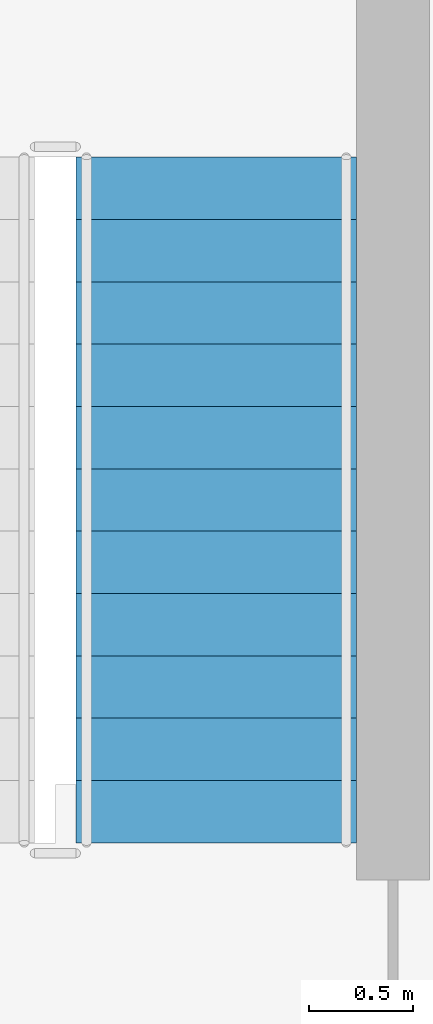
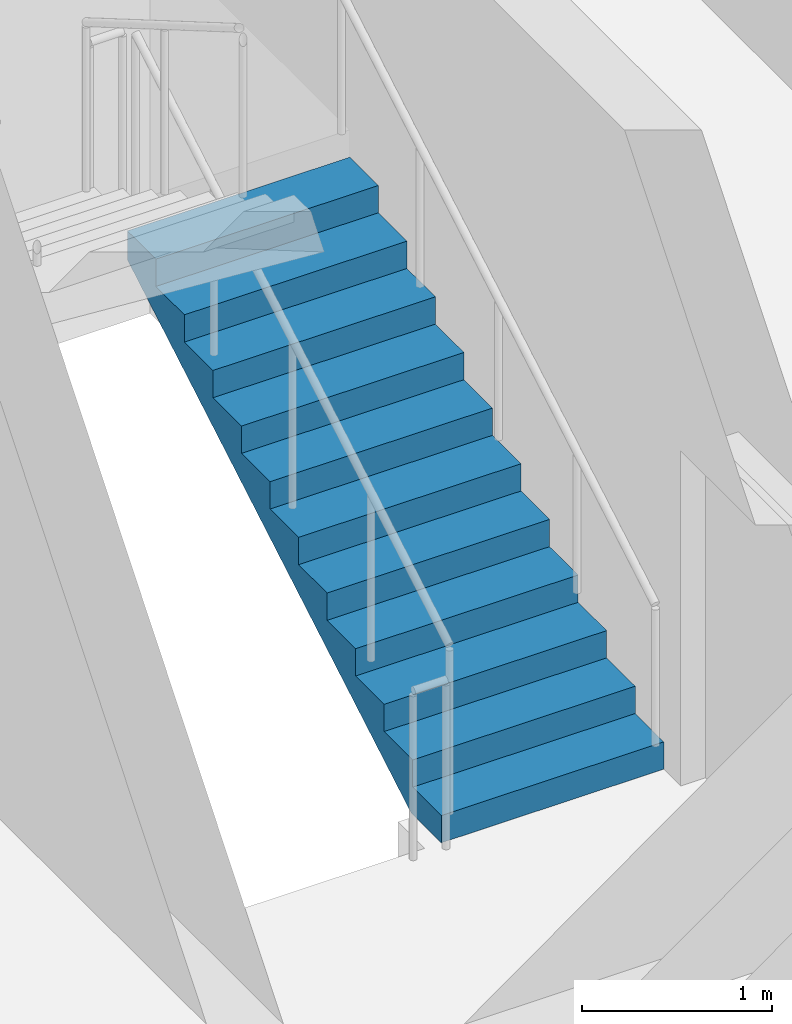
# One storey, part 132 of 148: 1 stair flight, 1 element without a shape of its own.
"""IFC4 building model written with IfcOpenShell, lengths in metres."""

from ifc_helpers import new_model, si_unit, direction, frame, origin, place, context, subcontext, project, spatial, polyline, outline, extrude, material, type_object, element, aggregate, save


model = new_model("IFC4")

# Units and contexts
model_context = context("Model", 3, precision=1e-05, world=origin(), true_north=direction((0.0, 1.0)))
body_context = subcontext(model_context, "Body", "Model", "MODEL_VIEW")
ifc_project = project(units=[si_unit("LENGTHUNIT", "METRE"), si_unit("AREAUNIT", "SQUARE_METRE"), si_unit("VOLUMEUNIT", "CUBIC_METRE"), si_unit("PLANEANGLEUNIT", "RADIAN"), si_unit("MASSUNIT", "GRAM", prefix="KILO")], contexts=[model_context])

# Site, building, storey
site_placement = place(None, origin())
site = spatial("IfcSite", under=ifc_project, at=site_placement, CompositionType="ELEMENT")
building_placement = place(site_placement, origin())
building = spatial("IfcBuilding", under=site, at=building_placement, Name="Karori Crest Natural Sciences Institute", CompositionType="ELEMENT")
storey_placement = place(building_placement, frame((0.0, 0.0, 4.89990234375)))
storey = spatial("IfcBuildingStorey", under=building, at=storey_placement, Name="L01", CompositionType="ELEMENT", Elevation=4.89990234375)

# Stair, stair flight
ifc_material = material(Name="Concrete 40 MPa", Category="concrete")
stair_type = type_object("IfcStairType", Name="STT-01", PredefinedType="HALF_TURN_STAIR", material=ifc_material)
stair_placement = place(storey_placement, origin())
stair = element("IfcStair", 1, at=stair_placement, inside=storey, type_object=stair_type, Name="Protected stair ST-06-L01", PredefinedType="HALF_TURN_STAIR")
stair_flight_type = type_object("IfcStairFlightType", Name="SFT-01", PredefinedType="STRAIGHT", material=ifc_material)
stair_flight_placement = place(storey_placement, frame((11.425048828125, 141.0, 0.0), z_axis=(0.0, 0.0, 1.0), x_axis=(0.0, 1.0, 0.0)))
stair_flight = element("IfcStairFlight", 2, at=stair_flight_placement, type_object=stair_flight_type, Name="ST-06-L01 flight 1", NumberOfRisers=12, NumberOfTreads=11, PredefinedType="STRAIGHT", RiserHeight=0.175, TreadLength=0.3, context=body_context, shape_type="SweptSolid", body=[
    extrude(outline(polyline([(0.0, 0.0), (0.0, 0.175048828125), (0.300048828125, 0.175048828125), (0.300048828125, 0.35009765625), (0.60009765625, 0.35009765625), (0.60009765625, 0.52490234375), (0.89990234375, 0.52490234375), (0.89990234375, 0.699951171875), (1.199951171875, 0.699951171875), (1.199951171875, 0.875), (1.5, 0.875), (1.5, 1.050048828125), (1.800048828125, 1.050048828125), (1.800048828125, 1.22509765625), (2.10009765625, 1.22509765625), (2.10009765625, 1.39990234375), (2.39990234375, 1.39990234375), (2.39990234375, 1.574951171875), (2.699951171875, 1.574951171875), (2.699951171875, 1.75), (3.0, 1.75), (3.0, 1.925048828125), (3.300048828125, 1.925048828125), (3.300048828125, 2.10009765625), (3.300048828125, 1.739990234375), (0.3173828125, 0.0), (0.0, 0.0)])), frame((0.0, 0.675048828125, 0.0), z_axis=(0.0, -1.0, 0.0), x_axis=(1.0, 0.0, 0.0)), (0.0, 0.0, 1.0), 1.35009765625),
])
aggregate(stair, [stair_flight])

save(model, "model.ifc")
